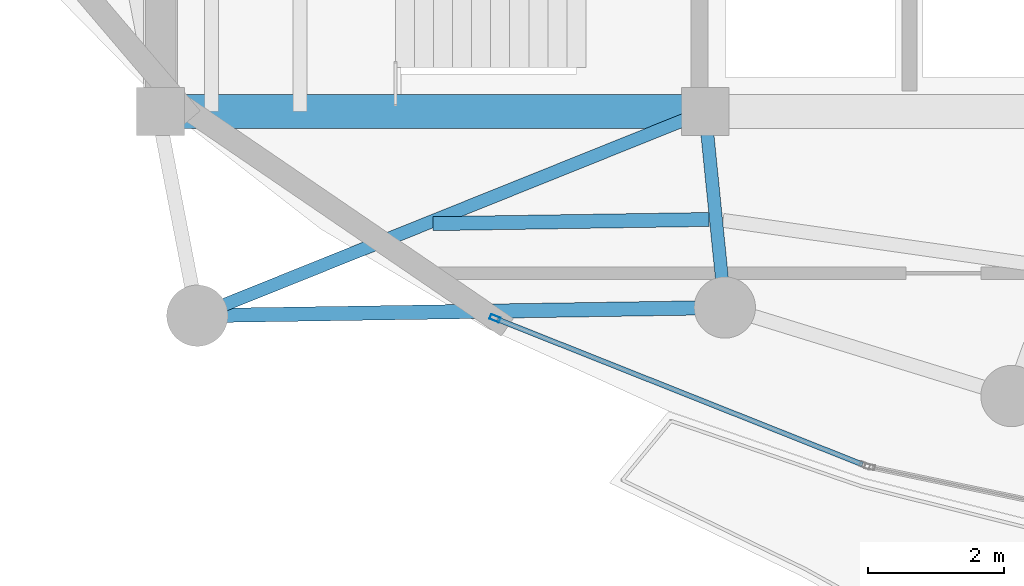
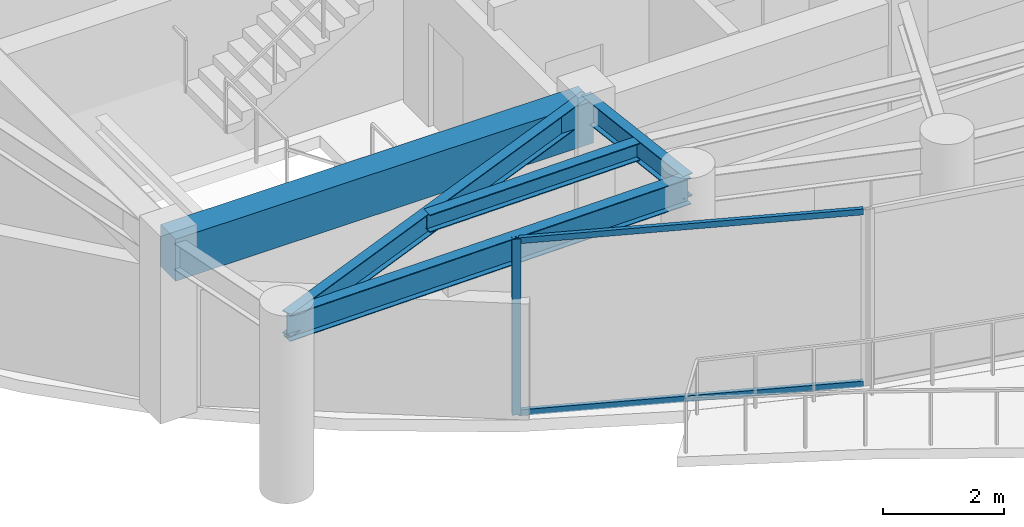
# One storey, part 2 of 23: 5 beams, 3 members, 1 element without a shape of its own.
"""IFC4 building model written with IfcOpenShell, lengths in metres."""

from ifc_helpers import new_model, si_unit, direction, frame, origin, origin_2d, place, context, subcontext, project, spatial, rectangle, hollow_rectangle, i_section, extrude, material, layer, layer_set, material_profile, profile_set, type_object, element, aggregate, save


model = new_model("IFC4")

# Units and contexts
model_context = context("Model", 3, precision=1e-05, world=origin(), true_north=direction((0.0, 1.0)))
body_context = subcontext(model_context, "Body", "Model", "MODEL_VIEW")
ifc_project = project(units=[si_unit("LENGTHUNIT", "METRE"), si_unit("AREAUNIT", "SQUARE_METRE"), si_unit("VOLUMEUNIT", "CUBIC_METRE"), si_unit("PLANEANGLEUNIT", "RADIAN"), si_unit("MASSUNIT", "GRAM", prefix="KILO")], contexts=[model_context])

# Site, building, storey
site_placement = place(None, origin())
site = spatial("IfcSite", under=ifc_project, at=site_placement, CompositionType="ELEMENT")
building_placement = place(site_placement, origin())
building = spatial("IfcBuilding", under=site, at=building_placement, Name="Kazevale Care Tower and Concert Hall", CompositionType="ELEMENT")
storey_placement = place(building_placement, frame((0.0, 0.0, 270.0)))
storey = spatial("IfcBuildingStorey", under=building, at=storey_placement, Name="L71", CompositionType="ELEMENT", Elevation=270.0)

# Curtain wall, members
ifc_material_1 = material(Name="Aluminium 6063-T6 and Low-E Glass", Category="aluminium")
ifc_layer = layer(ifc_material_1, 0.179931640625)
ifc_layer_set = layer_set([ifc_layer], Name="Aluminium 6063-T6 and Low-E Glass")
curtain_wall_type = type_object("IfcCurtainWallType", Name="Sheltered Concave Balcony Curtain Wall CW-5", PredefinedType="NOTDEFINED", material=ifc_layer_set)
curtain_wall_placement = place(storey_placement, origin())
curtain_wall = element("IfcCurtainWall", 1, at=curtain_wall_placement, inside=storey, type_object=curtain_wall_type, Name="cw:L71:f04", PredefinedType="NOTDEFINED")
ifc_material_2 = material(Name="Aluminium 6063-T6", Category="aluminium")
ifc_material_profile_1 = material_profile(ifc_material_2, hollow_rectangle(XDim=0.074951171875, YDim=0.14990234375, WallThickness=0.00390625, at=origin_2d()), Name="ALU75x150x4")
ifc_profile_set_1 = profile_set([ifc_material_profile_1], Name="Aluminium 6063-T6")
member_type_1 = type_object("IfcMemberType", Name="CW-5 Mullion ALU75x150x4", PredefinedType="MULLION", material=ifc_profile_set_1)
member_1_placement = place(storey_placement, frame((26.912841796875, 20.56103515625, 0.0), z_axis=(0.0, 0.0, 1.0), x_axis=(-0.369556171894, -0.929208392028, 0.0)))
member_1 = element("IfcMember", 2, at=member_1_placement, type_object=member_type_1, Name="CW-5 mullion 2", PredefinedType="MULLION", context=body_context, shape_type="SweptSolid", body=[
    extrude(hollow_rectangle(XDim=0.074951171875, YDim=0.14990234375, WallThickness=0.00390625, at=origin_2d()), origin(), (0.0, 0.0, 1.0), 3.56005859375),
])
ifc_material_profile_2 = material_profile(ifc_material_2, hollow_rectangle(XDim=0.074951171875, YDim=0.1201171875, WallThickness=0.00390625, at=origin_2d()), Name="ALU75x120x4")
ifc_profile_set_2 = profile_set([ifc_material_profile_2], Name="Aluminium 6063-T6")
member_type_2 = type_object("IfcMemberType", Name="CW-5 Transom ALU75x120x4", PredefinedType="USERDEFINED", material=ifc_profile_set_2)
member_2_placement = place(storey_placement, frame((32.312255859375, 18.413818359375, 0.03759765625), z_axis=(-0.92920691716, 0.369559880265, 0.0), x_axis=(-0.369559880265, -0.92920691716, 0.0)))
member_2 = element("IfcMember", 3, at=member_2_placement, type_object=member_type_2, Name="CW-5 transom 1.1", ObjectType="TRANSOM", PredefinedType="USERDEFINED", context=body_context, shape_type="SweptSolid", body=[
    extrude(hollow_rectangle(XDim=0.074951171875, YDim=0.1201171875, WallThickness=0.00390625, at=origin_2d()), origin(), (0.0, 0.0, 1.0), 5.773193359375),
])
member_3_placement = place(storey_placement, frame((32.312255859375, 18.413818359375, 3.5224609375), z_axis=(-0.92920691716, 0.369559880265, 0.0), x_axis=(-0.369559880265, -0.92920691716, 0.0)))
member_3 = element("IfcMember", 4, at=member_3_placement, type_object=member_type_2, Name="CW-5 transom 1.2", ObjectType="TRANSOM", PredefinedType="USERDEFINED", context=body_context, shape_type="SweptSolid", body=[
    extrude(hollow_rectangle(XDim=0.074951171875, YDim=0.1201171875, WallThickness=0.00390625, at=origin_2d()), origin(), (0.0, 0.0, 1.0), 5.773193359375),
])
aggregate(curtain_wall, [member_1, member_2, member_3])

# Beams
ifc_material_3 = material(Name="Concrete C60", Category="concrete")
ifc_material_profile_3 = material_profile(ifc_material_3, rectangle(XDim=0.5, YDim=0.85009765625, at=origin_2d()), Name="RC-B500x850")
ifc_profile_set_3 = profile_set([ifc_material_profile_3], Name="Concrete C60")
beam_type_1 = type_object("IfcBeamType", Name="Core Coupling Beam RC500x850", PredefinedType="LINTEL", material=ifc_profile_set_3)
beam_1_placement = place(storey_placement, frame((22.0, 23.60009765625, 3.135009765625), z_axis=(1.0, 0.0, 0.0), x_axis=(0.0, 1.0, 0.0)))
element("IfcBeam", 5, at=beam_1_placement, inside=storey, type_object=beam_type_1, Name="beam:L71:coretie:1", PredefinedType="LINTEL", context=body_context, shape_type="SweptSolid", body=[
    extrude(rectangle(XDim=0.5, YDim=0.85009765625, at=origin_2d()), origin(), (0.0, 0.0, 1.0), 8.0),
])
ifc_material_4 = material(Name="Steel ASTM A572 Gr 50", Category="steel")
ifc_material_profile_4 = material_profile(ifc_material_4, i_section(OverallWidth=0.19091796875, OverallDepth=0.4599609375, WebThickness=0.010009765625, FlangeThickness=0.01611328125, at=origin_2d()), Name="W460x82")
ifc_profile_set_4 = profile_set([ifc_material_profile_4], Name="Steel ASTM A572 Gr 50")
beam_type_2 = type_object("IfcBeamType", Name="Radial Floor Beam W460x82", PredefinedType="BEAM", material=ifc_profile_set_4)
beam_2_placement = place(storey_placement, frame((30.0, 23.60009765625, 3.330078125), z_axis=(-0.927788258921, -0.373107151644, 0.0), x_axis=(0.373107151644, -0.927788258921, 0.0)))
element("IfcBeam", 6, at=beam_2_placement, inside=storey, type_object=beam_type_2, Name="beam:L71:rad:10", PredefinedType="BEAM", context=body_context, shape_type="SweptSolid", body=[
    extrude(i_section(OverallWidth=0.19091796875, OverallDepth=0.4599609375, WebThickness=0.010009765625, FlangeThickness=0.01611328125, at=origin_2d()), origin(), (0.0, 0.0, 1.0), 8.04052734375),
])
beam_3_placement = place(storey_placement, frame((30.0, 23.60009765625, 3.330078125), z_axis=(0.100196792003, -0.994967639108, 0.0), x_axis=(0.994967639108, 0.100196792003, 0.0)))
element("IfcBeam", 7, at=beam_3_placement, inside=storey, type_object=beam_type_2, Name="beam:L71:rad:11", PredefinedType="BEAM", context=body_context, shape_type="SweptSolid", body=[
    extrude(i_section(OverallWidth=0.19091796875, OverallDepth=0.4599609375, WebThickness=0.010009765625, FlangeThickness=0.01611328125, at=origin_2d()), origin(), (0.0, 0.0, 1.0), 2.894775390625),
])
ifc_material_profile_5 = material_profile(ifc_material_4, i_section(OverallWidth=0.205078125, OverallDepth=0.35400390625, WebThickness=0.009521484375, FlangeThickness=0.016845703125, at=origin_2d()), Name="W360x79")
ifc_profile_set_5 = profile_set([ifc_material_profile_5], Name="Steel ASTM A572 Gr 50")
beam_type_3 = type_object("IfcBeamType", Name="Secondary Floor Joist W360x79", PredefinedType="JOIST", material=ifc_profile_set_5)
beam_4_placement = place(storey_placement, frame((26.001953125, 21.951904296875, 3.383056640625), z_axis=(0.999882971215, 0.015298492542, 0.0), x_axis=(-0.015298492542, 0.999882971215, 0.0)))
element("IfcBeam", 8, at=beam_4_placement, inside=storey, type_object=beam_type_3, Name="beam:L71:joist:10", PredefinedType="JOIST", context=body_context, shape_type="SweptSolid", body=[
    extrude(i_section(OverallWidth=0.205078125, OverallDepth=0.35400390625, WebThickness=0.009521484375, FlangeThickness=0.016845703125, at=origin_2d()), origin(), (0.0, 0.0, 1.0), 4.053466796875),
])
ifc_material_profile_6 = material_profile(ifc_material_4, i_section(OverallWidth=0.208984375, OverallDepth=0.532958984375, WebThickness=0.01025390625, FlangeThickness=0.015625, at=origin_2d()), Name="W530x92")
ifc_profile_set_6 = profile_set([ifc_material_profile_6], Name="Steel ASTM A572 Gr 50")
beam_type_4 = type_object("IfcBeamType", Name="Upper Ring Beam W530x92", PredefinedType="BEAM", material=ifc_profile_set_6)
beam_5_placement = place(storey_placement, frame((22.5400390625, 20.60009765625, 3.29345703125), z_axis=(0.999880399838, 0.015465640005, 0.0), x_axis=(-0.015465640005, 0.999880399838, 0.0)))
element("IfcBeam", 9, at=beam_5_placement, inside=storey, type_object=beam_type_4, Name="beam:L71:ring:10", PredefinedType="BEAM", context=body_context, shape_type="SweptSolid", body=[
    extrude(i_section(OverallWidth=0.208984375, OverallDepth=0.532958984375, WebThickness=0.01025390625, FlangeThickness=0.015625, at=origin_2d()), origin(), (0.0, 0.0, 1.0), 7.7509765625),
])

save(model, "model.ifc")
